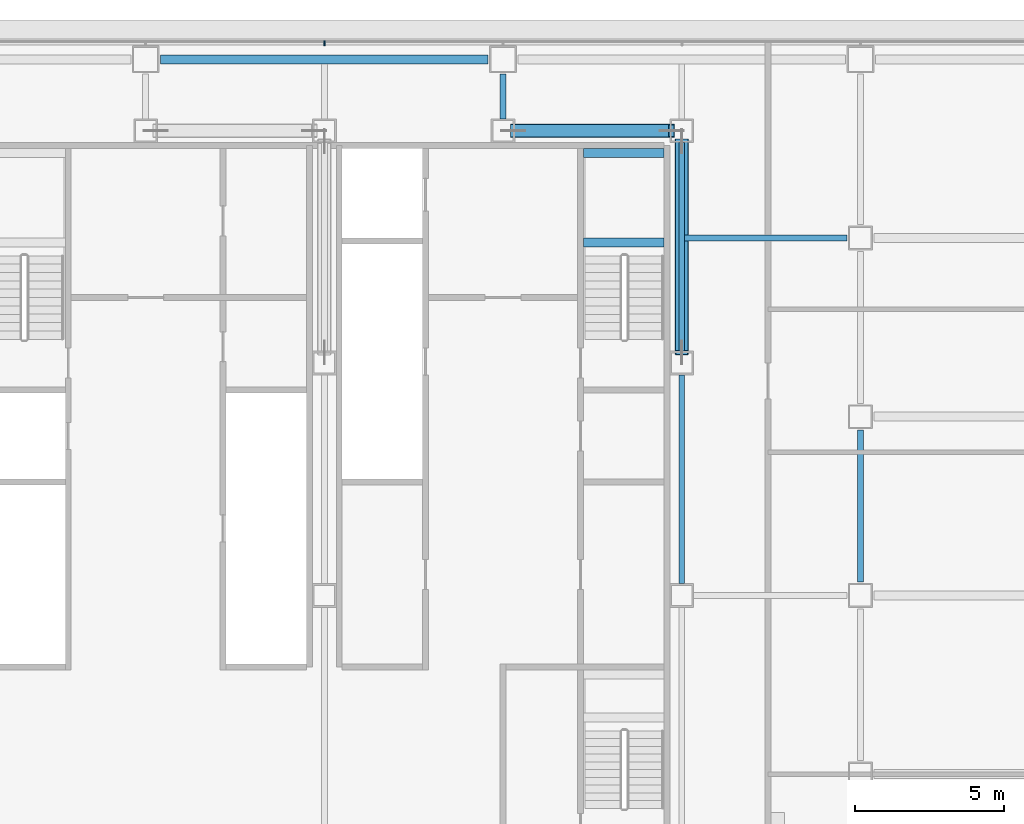
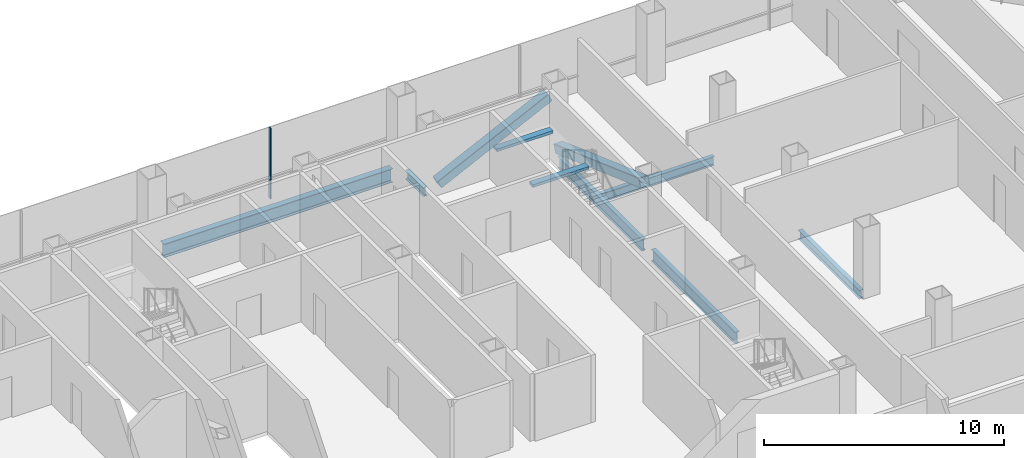
# One storey, part 13 of 27: 8 beams, 3 members, 1 element without a shape of its own.
"""IFC4 building model written with IfcOpenShell, lengths in metres."""

from ifc_helpers import new_model, si_unit, direction, frame, origin, origin_2d, place, context, subcontext, project, spatial, rectangle, hollow_rectangle, i_section, extrude, material, material_profile, profile_set, type_object, element, aggregate, save


model = new_model("IFC4")

# Units and contexts
model_context = context("Model", 3, precision=1e-05, world=origin(), true_north=direction((0.0, 1.0)))
body_context = subcontext(model_context, "Body", "Model", "MODEL_VIEW")
ifc_project = project(units=[si_unit("LENGTHUNIT", "METRE"), si_unit("AREAUNIT", "SQUARE_METRE"), si_unit("VOLUMEUNIT", "CUBIC_METRE"), si_unit("PLANEANGLEUNIT", "RADIAN"), si_unit("MASSUNIT", "GRAM", prefix="KILO")], contexts=[model_context])

# Site, building, storey
site_placement = place(None, origin())
site = spatial("IfcSite", under=ifc_project, at=site_placement, CompositionType="ELEMENT")
building_placement = place(site_placement, origin())
building = spatial("IfcBuilding", under=site, at=building_placement, Name="Sorahane Residences", CompositionType="ELEMENT")
storey_placement = place(building_placement, frame((0.0, 0.0, 49.800048828125)))
storey = spatial("IfcBuildingStorey", under=building, at=storey_placement, Name="L08", CompositionType="ELEMENT", Elevation=49.800048828125)

# Members
ifc_material_1 = material(Name="Steel Q355B", Category="steel")
ifc_material_profile_1 = material_profile(ifc_material_1, hollow_rectangle(XDim=0.449951171875, YDim=0.449951171875, WallThickness=0.02197265625, InnerFilletRadius=0.010986328125, OuterFilletRadius=0.032958984375, at=origin_2d()), Name="RHS 450x450x22")
ifc_profile_set_1 = profile_set([ifc_material_profile_1], Name="Steel Q355B")
member_type_1 = type_object("IfcMemberType", Name="Core brace RHS 450x450x22 Q355B", PredefinedType="BRACE", material=ifc_profile_set_1)
member_1_placement = place(storey_placement, frame((36.341064453125, 45.60009765625, 0.196533203125), z_axis=(0.899910905173, 0.0, 0.436073804247), x_axis=(0.0, 1.0, 0.0)))
element("IfcMember", 1, at=member_1_placement, inside=storey, type_object=member_type_1, Name="Core brace L08 y45.6-6", PredefinedType="BRACE", context=body_context, shape_type="SweptSolid", body=[
    extrude(hollow_rectangle(XDim=0.449951171875, YDim=0.449951171875, WallThickness=0.02197265625, InnerFilletRadius=0.010986328125, OuterFilletRadius=0.032958984375, at=origin_2d()), origin(), (0.0, 0.0, 1.0), 5.909423828125),
])
member_2_placement = place(storey_placement, frame((42.0, 45.24560546875, 0.20849609375), z_axis=(0.0, -0.940882869443, 0.338732085856), x_axis=(1.0, 0.0, 0.0)))
element("IfcMember", 2, at=member_2_placement, inside=storey, type_object=member_type_1, Name="Core brace L08 x42-3", PredefinedType="BRACE", context=body_context, shape_type="SweptSolid", body=[
    extrude(hollow_rectangle(XDim=0.449951171875, YDim=0.449951171875, WallThickness=0.02197265625, InnerFilletRadius=0.010986328125, OuterFilletRadius=0.032958984375, at=origin_2d()), origin(), (0.0, 0.0, 1.0), 7.536865234375),
])

# Curtain wall, member
ifc_material_2 = material(Name="Dark low-e glass and black anodised aluminium", Category="aluminium")
curtain_wall_type = type_object("IfcCurtainWallType", Name="Curtain wall CW-1 Typical unitised wall", PredefinedType="NOTDEFINED", material=ifc_material_2)
curtain_wall_placement = place(storey_placement, origin())
curtain_wall = element("IfcCurtainWall", 3, at=curtain_wall_placement, inside=storey, type_object=curtain_wall_type, Name="CW-1 curtain wall L08 N1", PredefinedType="NOTDEFINED")
ifc_material_3 = material(Name="Black anodised aluminium", Category="aluminium")
ifc_material_profile_2 = material_profile(ifc_material_3, rectangle(XDim=0.159912109375, YDim=0.050048828125, at=origin_2d()), Name="Curtain wall mullion CW-1 black anodised aluminium 50x160")
ifc_profile_set_2 = profile_set([ifc_material_profile_2], Name="Black anodised aluminium")
member_type_2 = type_object("IfcMemberType", Name="Curtain wall mullion CW-1 black anodised aluminium 50x160", PredefinedType="MULLION", material=ifc_profile_set_2)
member_3_placement = place(storey_placement, frame((30.0, 48.5400390625, -0.179931640625), z_axis=(0.0, 0.0, 1.0), x_axis=(0.0, 1.0, 0.0)))
member_3 = element("IfcMember", 4, at=member_3_placement, type_object=member_type_2, Name="CW-1 mullion L08 N1.6", PredefinedType="MULLION", context=body_context, shape_type="SweptSolid", body=[
    extrude(rectangle(XDim=0.159912109375, YDim=0.050048828125, at=origin_2d()), origin(), (0.0, 0.0, 1.0), 3.599853515625),
])
aggregate(curtain_wall, [member_3])

# Beams
ifc_material_4 = material(Name="Concrete C40", Category="concrete")
ifc_material_profile_3 = material_profile(ifc_material_4, rectangle(XDim=0.300048828125, YDim=0.139892578125, at=origin_2d()), Name="300x140")
ifc_profile_set_3 = profile_set([ifc_material_profile_3], Name="Concrete C40")
beam_type_1 = type_object("IfcBeamType", Name="RC landing beam 300 x 140 Concrete C40", PredefinedType="BEAM", material=ifc_profile_set_3)
for number, where, z_axis, x_axis, name in (
    (5, (38.699951171875, 41.85009765625, 1.530029296875), (1.0, 0.0, 0.0), (0.0, 1.0, 0.0), "Landing beam"),
    (6, (38.699951171875, 44.85009765625, 1.530029296875), (1.0, 0.0, 0.0), (0.0, 1.0, 0.0), "Landing beam"),
):
    element("IfcBeam", number, at=place(storey_placement, frame(where, z_axis=z_axis, x_axis=x_axis)), inside=storey, type_object=beam_type_1, Name=name, PredefinedType="BEAM", context=body_context, shape_type="SweptSolid", body=[
        extrude(rectangle(XDim=0.300048828125, YDim=0.139892578125, at=origin_2d()), origin(), (0.0, 0.0, 1.0), 2.699951171875),
    ])
ifc_material_5 = material(Name="Steel Q355B", Category="steel")
ifc_material_profile_4 = material_profile(ifc_material_5, i_section(OverallWidth=0.199951171875, OverallDepth=0.449951171875, WebThickness=0.009033203125, FlangeThickness=0.013916015625, FilletRadius=0.02001953125, at=origin_2d()), Name="HN 450x200x9x14")
ifc_profile_set_4 = profile_set([ifc_material_profile_4], Name="Steel Q355B")
beam_type_2 = type_object("IfcBeamType", Name="Steel floor beam HN 450x200x9x14 Q355B", PredefinedType="BEAM", material=ifc_profile_set_4)
beam_1_placement = place(storey_placement, frame((36.0, 46.0, -0.405029296875), z_axis=(0.0, 1.0, 0.0), x_axis=(-1.0, 0.0, 0.0)))
element("IfcBeam", 7, at=beam_1_placement, inside=storey, type_object=beam_type_2, Name="Beam L08 044", PredefinedType="BEAM", context=body_context, shape_type="SweptSolid", body=[
    extrude(i_section(OverallWidth=0.199951171875, OverallDepth=0.449951171875, WebThickness=0.009033203125, FlangeThickness=0.013916015625, FilletRadius=0.02001953125, at=origin_2d()), origin(), (0.0, 0.0, 1.0), 1.5),
])
beam_2_placement = place(storey_placement, frame((48.0, 30.449951171875, -0.405029296875), z_axis=(0.0, 1.0, 0.0), x_axis=(-1.0, 0.0, 0.0)))
element("IfcBeam", 8, at=beam_2_placement, inside=storey, type_object=beam_type_2, Name="Beam L08 054", PredefinedType="BEAM", context=body_context, shape_type="SweptSolid", body=[
    extrude(i_section(OverallWidth=0.199951171875, OverallDepth=0.449951171875, WebThickness=0.009033203125, FlangeThickness=0.013916015625, FilletRadius=0.02001953125, at=origin_2d()), origin(), (0.0, 0.0, 1.0), 5.10009765625),
])
beam_3_placement = place(storey_placement, frame((42.10009765625, 42.0, -0.405029296875), z_axis=(1.0, 0.0, 0.0), x_axis=(0.0, 1.0, 0.0)))
element("IfcBeam", 9, at=beam_3_placement, inside=storey, type_object=beam_type_2, Name="Beam L08 080", PredefinedType="BEAM", context=body_context, shape_type="SweptSolid", body=[
    extrude(i_section(OverallWidth=0.199951171875, OverallDepth=0.449951171875, WebThickness=0.009033203125, FlangeThickness=0.013916015625, FilletRadius=0.02001953125, at=origin_2d()), origin(), (0.0, 0.0, 1.0), 5.449951171875),
])
ifc_material_6 = material(Name="Steel Q355B", Category="steel")
ifc_material_profile_5 = material_profile(ifc_material_6, i_section(OverallWidth=0.199951171875, OverallDepth=0.60009765625, WebThickness=0.010986328125, FlangeThickness=0.01708984375, FilletRadius=0.02392578125, at=origin_2d()), Name="HN 600x200x11x17")
ifc_profile_set_5 = profile_set([ifc_material_profile_5], Name="Steel Q355B")
beam_type_3 = type_object("IfcBeamType", Name="Steel floor beam HN 600x200x11x17 Q355B", PredefinedType="BEAM", material=ifc_profile_set_5)
for number, where, z_axis, x_axis, name in (
    (10, (42.0, 30.39990234375, -0.47998046875), (0.0, 1.0, 0.0), (-1.0, 0.0, 0.0), "Beam L08 048"),
    (11, (42.0, 38.199951171875, -0.47998046875), (0.0, 1.0, 0.0), (-1.0, 0.0, 0.0), "Beam L08 049"),
):
    element("IfcBeam", number, at=place(storey_placement, frame(where, z_axis=z_axis, x_axis=x_axis)), inside=storey, type_object=beam_type_3, Name=name, PredefinedType="BEAM", context=body_context, shape_type="SweptSolid", body=[
        extrude(i_section(OverallWidth=0.199951171875, OverallDepth=0.60009765625, WebThickness=0.010986328125, FlangeThickness=0.01708984375, FilletRadius=0.02392578125, at=origin_2d()), origin(), (0.0, 0.0, 1.0), 7.0),
    ])
ifc_material_7 = material(Name="Steel Q355B", Category="steel")
ifc_material_profile_6 = material_profile(ifc_material_7, i_section(OverallWidth=0.300048828125, OverallDepth=0.699951171875, WebThickness=0.012939453125, FlangeThickness=0.02392578125, FilletRadius=0.028076171875, at=origin_2d()), Name="HN 700x300x13x24")
ifc_profile_set_6 = profile_set([ifc_material_profile_6], Name="Steel Q355B")
beam_type_4 = type_object("IfcBeamType", Name="Steel floor beam HN 700x300x13x24 Q355B", PredefinedType="BEAM", material=ifc_profile_set_6)
beam_4_placement = place(storey_placement, frame((24.5, 48.0, -0.530029296875), z_axis=(1.0, 0.0, 0.0), x_axis=(0.0, 1.0, 0.0)))
element("IfcBeam", 12, at=beam_4_placement, inside=storey, type_object=beam_type_4, Name="Beam L08 014", PredefinedType="BEAM", context=body_context, shape_type="SweptSolid", body=[
    extrude(i_section(OverallWidth=0.300048828125, OverallDepth=0.699951171875, WebThickness=0.012939453125, FlangeThickness=0.02392578125, FilletRadius=0.028076171875, at=origin_2d()), origin(), (0.0, 0.0, 1.0), 11.0),
])

save(model, "model.ifc")
